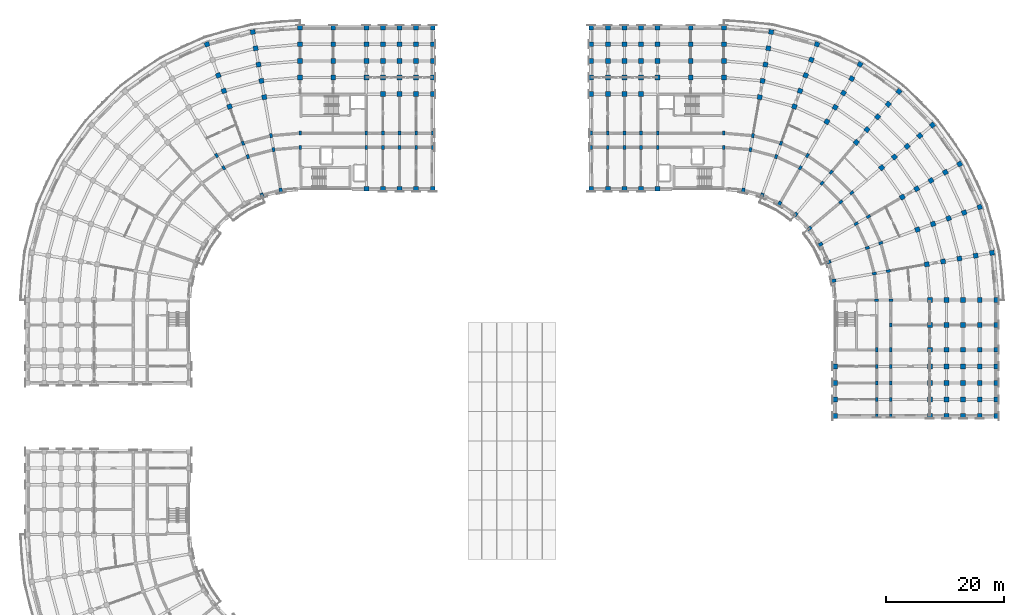
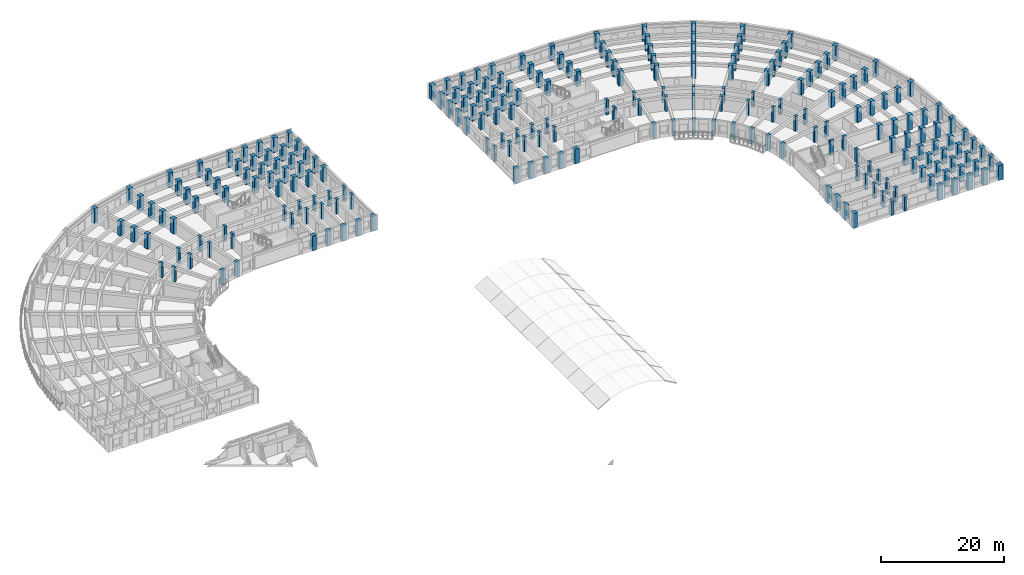
# One storey, part 2 of 54: 231 columns.
"""IFC4 building model written with IfcOpenShell, lengths in metres."""

from ifc_helpers import new_model, si_unit, direction, frame, origin, origin_2d, place, context, subcontext, project, spatial, rectangle, extrude, material, material_profile, profile_set, type_object, element, save


model = new_model("IFC4")

# Units and contexts
model_context = context("Model", 3, precision=1e-05, world=origin(), true_north=direction((0.0, 1.0)))
body_context = subcontext(model_context, "Body", "Model", "MODEL_VIEW")
ifc_project = project(units=[si_unit("LENGTHUNIT", "METRE"), si_unit("AREAUNIT", "SQUARE_METRE"), si_unit("VOLUMEUNIT", "CUBIC_METRE"), si_unit("PLANEANGLEUNIT", "RADIAN"), si_unit("MASSUNIT", "GRAM", prefix="KILO")], contexts=[model_context])

# Site, building, storey
site_placement = place(None, origin())
site = spatial("IfcSite", under=ifc_project, at=site_placement, CompositionType="ELEMENT")
building_placement = place(site_placement, origin())
building = spatial("IfcBuilding", under=site, at=building_placement, Name="Kiranvali Square Residences", CompositionType="ELEMENT")
storey_placement = place(building_placement, frame((0.0, 0.0, 15.0)))
storey = spatial("IfcBuildingStorey", under=building, at=storey_placement, Name="L04", CompositionType="ELEMENT", Elevation=15.0)

# Columns
ifc_material_1 = material(Name="Concrete M45 (45 MPa)", Category="concrete")
ifc_material_profile_1 = material_profile(ifc_material_1, rectangle(XDim=0.449951171875, YDim=0.699951171875, at=origin_2d()), Name="RC 700x450")
ifc_profile_set_1 = profile_set([ifc_material_profile_1], Name="Concrete M45 (45 MPa)")
column_type_1 = type_object("IfcColumnType", Name="COL-M45-700x450", PredefinedType="COLUMN", material=ifc_profile_set_1)
for number, where, z_axis, x_axis, name in (
    (1, (48.199951171875, 113.60009765625, 0.0), (0.0, 0.0, 1.0), (1.0, 0.0, 0.0), "Block A L04 radial column A00-R1"),
    (2, (48.199951171875, 116.0, 0.0), (0.0, 0.0, 1.0), (1.0, 0.0, 0.0), "Block A L04 radial column A00-R2"),
    (3, (43.719970703125, 113.2080078125, 0.0), (0.0, 0.0, 1.0), (0.984807753012, 0.173648177667, 0.0), "Block A L04 radial column A01-R1"),
    (4, (43.30322265625, 115.571533203125, 0.0), (0.0, 0.0, 1.0), (0.984807753012, 0.173648177667, 0.0), "Block A L04 radial column A01-R2"),
    (5, (39.3759765625, 112.044189453125, 0.0), (0.0, 0.0, 1.0), (0.939692620786, 0.342020143326, 0.0), "Block A L04 radial column A02-R1"),
    (6, (38.554931640625, 114.29931640625, 0.0), (0.0, 0.0, 1.0), (0.939692620786, 0.342020143326, 0.0), "Block A L04 radial column A02-R2"),
    (7, (35.300048828125, 110.1435546875, 0.0), (0.0, 0.0, 1.0), (0.866025403784, 0.5, 0.0), "Block A L04 radial column A03-R1"),
    (8, (34.10009765625, 112.221923828125, 0.0), (0.0, 0.0, 1.0), (0.866025403784, 0.5, 0.0), "Block A L04 radial column A03-R2"),
    (9, (59.39990234375, 113.60009765625, 0.0), (0.0, 0.0, 1.0), (1.0, 0.0, 0.0), "Block A L04 Arm 1 column U1-R1"),
    (10, (59.39990234375, 116.0, 0.0), (0.0, 0.0, 1.0), (1.0, 0.0, 0.0), "Block A L04 Arm 1 column U1-R2"),
    (11, (62.199951171875, 113.60009765625, 0.0), (0.0, 0.0, 1.0), (1.0, 0.0, 0.0), "Block A L04 Arm 1 column U2-R1"),
    (12, (62.199951171875, 116.0, 0.0), (0.0, 0.0, 1.0), (1.0, 0.0, 0.0), "Block A L04 Arm 1 column U2-R2"),
    (13, (65.0, 113.60009765625, 0.0), (0.0, 0.0, 1.0), (1.0, 0.0, 0.0), "Block A L04 Arm 1 column U3-R1"),
    (14, (65.0, 116.0, 0.0), (0.0, 0.0, 1.0), (1.0, 0.0, 0.0), "Block A L04 Arm 1 column U3-R2"),
    (15, (67.800048828125, 113.60009765625, 0.0), (0.0, 0.0, 1.0), (1.0, 0.0, 0.0), "Block A L04 Arm 1 column U4-R1"),
    (16, (67.800048828125, 116.0, 0.0), (0.0, 0.0, 1.0), (1.0, 0.0, 0.0), "Block A L04 Arm 1 column U4-R2"),
    (17, (70.60009765625, 113.60009765625, 0.0), (0.0, 0.0, 1.0), (1.0, 0.0, 0.0), "Block A L04 Arm 1 column U5-R1"),
    (18, (70.60009765625, 116.0, 0.0), (0.0, 0.0, 1.0), (1.0, 0.0, 0.0), "Block A L04 Arm 1 column U5-R2"),
    (19, (119.800048828125, 113.60009765625, 0.0), (0.0, 0.0, 1.0), (1.0, 0.0, 0.0), "Block B L04 radial column A00-R1"),
    (20, (119.800048828125, 116.0, 0.0), (0.0, 0.0, 1.0), (1.0, 0.0, 0.0), "Block B L04 radial column A00-R2"),
    (21, (124.280029296875, 113.2080078125, 0.0), (0.0, 0.0, 1.0), (-0.984807753012, 0.173648177667, 0.0), "Block B L04 radial column A01-R1"),
    (22, (124.69677734375, 115.571533203125, 0.0), (0.0, 0.0, 1.0), (-0.984807753012, 0.173648177667, 0.0), "Block B L04 radial column A01-R2"),
    (23, (128.6240234375, 112.044189453125, 0.0), (0.0, 0.0, 1.0), (-0.939692620786, 0.342020143326, 0.0), "Block B L04 radial column A02-R1"),
    (24, (129.445068359375, 114.29931640625, 0.0), (0.0, 0.0, 1.0), (-0.939692620786, 0.342020143326, 0.0), "Block B L04 radial column A02-R2"),
    (25, (132.699951171875, 110.1435546875, 0.0), (0.0, 0.0, 1.0), (-0.866025403784, 0.5, 0.0), "Block B L04 radial column A03-R1"),
    (26, (133.89990234375, 112.221923828125, 0.0), (0.0, 0.0, 1.0), (-0.866025403784, 0.5, 0.0), "Block B L04 radial column A03-R2"),
    (27, (136.384033203125, 107.56396484375, 0.0), (0.0, 0.0, 1.0), (-0.766044443119, 0.642787609687, 0.0), "Block B L04 radial column A04-R1"),
    (28, (137.926513671875, 109.40234375, 0.0), (0.0, 0.0, 1.0), (-0.766044443119, 0.642787609687, 0.0), "Block B L04 radial column A04-R2"),
    (29, (139.56396484375, 104.384033203125, 0.0), (0.0, 0.0, 1.0), (-0.642787609687, 0.766044443119, 0.0), "Block B L04 radial column A05-R1"),
    (30, (141.40234375, 105.926513671875, 0.0), (0.0, 0.0, 1.0), (-0.642787609687, 0.766044443119, 0.0), "Block B L04 radial column A05-R2"),
    (31, (142.1435546875, 100.699951171875, 0.0), (0.0, 0.0, 1.0), (-0.5, 0.866025403784, 0.0), "Block B L04 radial column A06-R1"),
    (32, (144.221923828125, 101.89990234375, 0.0), (0.0, 0.0, 1.0), (-0.5, 0.866025403784, 0.0), "Block B L04 radial column A06-R2"),
    (33, (144.044189453125, 96.6240234375, 0.0), (0.0, 0.0, 1.0), (-0.342020143326, 0.939692620786, 0.0), "Block B L04 radial column A07-R1"),
    (34, (146.29931640625, 97.445068359375, 0.0), (0.0, 0.0, 1.0), (-0.342020143326, 0.939692620786, 0.0), "Block B L04 radial column A07-R2"),
    (35, (145.2080078125, 92.280029296875, 0.0), (0.0, 0.0, 1.0), (-0.173648177667, 0.984807753012, 0.0), "Block B L04 radial column A08-R1"),
    (36, (147.571533203125, 92.69677734375, 0.0), (0.0, 0.0, 1.0), (-0.173648177667, 0.984807753012, 0.0), "Block B L04 radial column A08-R2"),
    (37, (145.60009765625, 87.800048828125, 0.0), (0.0, 0.0, 1.0), (0.0, 1.0, 0.0), "Block B L04 radial column A09-R1"),
    (38, (148.0, 87.800048828125, 0.0), (0.0, 0.0, 1.0), (0.0, 1.0, 0.0), "Block B L04 radial column A09-R2"),
    (39, (108.60009765625, 113.60009765625, 0.0), (0.0, 0.0, 1.0), (1.0, 0.0, 0.0), "Block B L04 Arm 1 column U1-R1"),
    (40, (108.60009765625, 116.0, 0.0), (0.0, 0.0, 1.0), (1.0, 0.0, 0.0), "Block B L04 Arm 1 column U1-R2"),
    (41, (105.800048828125, 113.60009765625, 0.0), (0.0, 0.0, 1.0), (1.0, 0.0, 0.0), "Block B L04 Arm 1 column U2-R1"),
    (42, (105.800048828125, 116.0, 0.0), (0.0, 0.0, 1.0), (1.0, 0.0, 0.0), "Block B L04 Arm 1 column U2-R2"),
    (43, (103.0, 113.60009765625, 0.0), (0.0, 0.0, 1.0), (1.0, 0.0, 0.0), "Block B L04 Arm 1 column U3-R1"),
    (44, (103.0, 116.0, 0.0), (0.0, 0.0, 1.0), (1.0, 0.0, 0.0), "Block B L04 Arm 1 column U3-R2"),
    (45, (100.199951171875, 113.60009765625, 0.0), (0.0, 0.0, 1.0), (1.0, 0.0, 0.0), "Block B L04 Arm 1 column U4-R1"),
    (46, (100.199951171875, 116.0, 0.0), (0.0, 0.0, 1.0), (1.0, 0.0, 0.0), "Block B L04 Arm 1 column U4-R2"),
    (47, (97.39990234375, 113.60009765625, 0.0), (0.0, 0.0, 1.0), (1.0, 0.0, 0.0), "Block B L04 Arm 1 column U5-R1"),
    (48, (97.39990234375, 116.0, 0.0), (0.0, 0.0, 1.0), (1.0, 0.0, 0.0), "Block B L04 Arm 1 column U5-R2"),
    (49, (148.0, 83.60009765625, 0.0), (0.0, 0.0, 1.0), (1.0, 0.0, 0.0), "Block B L04 Arm 2 mid-core column V0-R2"),
    (50, (145.60009765625, 79.39990234375, 0.0), (0.0, 0.0, 1.0), (1.0, 0.0, 0.0), "Block B L04 Arm 2 column V1-R1"),
    (51, (148.0, 79.39990234375, 0.0), (0.0, 0.0, 1.0), (1.0, 0.0, 0.0), "Block B L04 Arm 2 column V1-R2"),
    (52, (145.60009765625, 76.60009765625, 0.0), (0.0, 0.0, 1.0), (1.0, 0.0, 0.0), "Block B L04 Arm 2 column V2-R1"),
    (53, (148.0, 76.60009765625, 0.0), (0.0, 0.0, 1.0), (1.0, 0.0, 0.0), "Block B L04 Arm 2 column V2-R2"),
    (54, (145.60009765625, 73.800048828125, 0.0), (0.0, 0.0, 1.0), (1.0, 0.0, 0.0), "Block B L04 Arm 2 column V3-R1"),
    (55, (148.0, 73.800048828125, 0.0), (0.0, 0.0, 1.0), (1.0, 0.0, 0.0), "Block B L04 Arm 2 column V3-R2"),
    (56, (145.60009765625, 71.0, 0.0), (0.0, 0.0, 1.0), (1.0, 0.0, 0.0), "Block B L04 Arm 2 column V4-R1"),
    (57, (148.0, 71.0, 0.0), (0.0, 0.0, 1.0), (1.0, 0.0, 0.0), "Block B L04 Arm 2 column V4-R2"),
    (58, (145.60009765625, 68.199951171875, 0.0), (0.0, 0.0, 1.0), (1.0, 0.0, 0.0), "Block B L04 Arm 2 column V5-R1"),
    (59, (148.0, 68.199951171875, 0.0), (0.0, 0.0, 1.0), (1.0, 0.0, 0.0), "Block B L04 Arm 2 column V5-R2"),
):
    element("IfcColumn", number, at=place(storey_placement, frame(where, z_axis=z_axis, x_axis=x_axis)), inside=storey, type_object=column_type_1, Name=name, PredefinedType="COLUMN", context=body_context, shape_type="SweptSolid", body=[
        extrude(rectangle(XDim=0.449951171875, YDim=0.699951171875, at=origin_2d()), origin(), (0.0, 0.0, 1.0), 2.929931640625),
    ])
ifc_material_2 = material(Name="Concrete M50 (50 MPa)", Category="concrete")
ifc_material_profile_2 = material_profile(ifc_material_2, rectangle(XDim=0.800048828125, YDim=0.800048828125, at=origin_2d()), Name="RC 800x800")
ifc_profile_set_2 = profile_set([ifc_material_profile_2], Name="Concrete M50 (50 MPa)")
column_type_2 = type_object("IfcColumnType", Name="COL-M50-800", PredefinedType="COLUMN", material=ifc_profile_set_2)
for number, where, z_axis, x_axis, name in (
    (60, (48.199951171875, 125.39990234375, 0.0), (0.0, 0.0, 1.0), (1.0, 0.0, 0.0), "Block A L04 radial column A00-R4"),
    (61, (48.199951171875, 128.199951171875, 0.0), (0.0, 0.0, 1.0), (1.0, 0.0, 0.0), "Block A L04 radial column A00-R5"),
    (62, (48.199951171875, 131.0, 0.0), (0.0, 0.0, 1.0), (1.0, 0.0, 0.0), "Block A L04 radial column A00-R6"),
    (63, (48.199951171875, 133.800048828125, 0.0), (0.0, 0.0, 1.0), (1.0, 0.0, 0.0), "Block A L04 radial column A00-R7"),
    (64, (42.156982421875, 122.0712890625, 0.0), (0.0, 0.0, 1.0), (0.984807753012, 0.173648177667, 0.0), "Block A L04 radial column A01-R3"),
    (65, (41.6708984375, 124.828857421875, 0.0), (0.0, 0.0, 1.0), (0.984807753012, 0.173648177667, 0.0), "Block A L04 radial column A01-R4"),
    (66, (41.1845703125, 127.586181640625, 0.0), (0.0, 0.0, 1.0), (0.984807753012, 0.173648177667, 0.0), "Block A L04 radial column A01-R5"),
    (67, (40.698486328125, 130.34375, 0.0), (0.0, 0.0, 1.0), (0.984807753012, 0.173648177667, 0.0), "Block A L04 radial column A01-R6"),
    (68, (40.212158203125, 133.10107421875, 0.0), (0.0, 0.0, 1.0), (0.984807753012, 0.173648177667, 0.0), "Block A L04 radial column A01-R7"),
    (69, (36.297607421875, 120.501220703125, 0.0), (0.0, 0.0, 1.0), (0.939692620786, 0.342020143326, 0.0), "Block A L04 radial column A02-R3"),
    (70, (35.340087890625, 123.13232421875, 0.0), (0.0, 0.0, 1.0), (0.939692620786, 0.342020143326, 0.0), "Block A L04 radial column A02-R4"),
    (71, (34.38232421875, 125.763671875, 0.0), (0.0, 0.0, 1.0), (0.939692620786, 0.342020143326, 0.0), "Block A L04 radial column A02-R5"),
    (72, (32.467041015625, 131.02587890625, 0.0), (0.0, 0.0, 1.0), (0.939692620786, 0.342020143326, 0.0), "Block A L04 radial column A02-R7"),
    (73, (53.800048828125, 125.39990234375, 0.0), (0.0, 0.0, 1.0), (1.0, 0.0, 0.0), "Block A L04 core-front column U0-R4"),
    (74, (53.800048828125, 128.199951171875, 0.0), (0.0, 0.0, 1.0), (1.0, 0.0, 0.0), "Block A L04 core-front column U0-R5"),
    (75, (53.800048828125, 131.0, 0.0), (0.0, 0.0, 1.0), (1.0, 0.0, 0.0), "Block A L04 core-front column U0-R6"),
    (76, (53.800048828125, 133.800048828125, 0.0), (0.0, 0.0, 1.0), (1.0, 0.0, 0.0), "Block A L04 core-front column U0-R7"),
    (77, (59.39990234375, 106.60009765625, 0.0), (0.0, 0.0, 1.0), (1.0, 0.0, 0.0), "Block A L04 Arm 1 column U1-R0"),
    (78, (59.39990234375, 125.39990234375, 0.0), (0.0, 0.0, 1.0), (1.0, 0.0, 0.0), "Block A L04 Arm 1 column U1-R4"),
    (79, (59.39990234375, 128.199951171875, 0.0), (0.0, 0.0, 1.0), (1.0, 0.0, 0.0), "Block A L04 Arm 1 column U1-R5"),
    (80, (59.39990234375, 131.0, 0.0), (0.0, 0.0, 1.0), (1.0, 0.0, 0.0), "Block A L04 Arm 1 column U1-R6"),
    (81, (59.39990234375, 133.800048828125, 0.0), (0.0, 0.0, 1.0), (1.0, 0.0, 0.0), "Block A L04 Arm 1 column U1-R7"),
    (82, (62.199951171875, 106.60009765625, 0.0), (0.0, 0.0, 1.0), (1.0, 0.0, 0.0), "Block A L04 Arm 1 column U2-R0"),
    (83, (62.199951171875, 122.60009765625, 0.0), (0.0, 0.0, 1.0), (1.0, 0.0, 0.0), "Block A L04 Arm 1 column U2-R3"),
    (84, (62.199951171875, 125.39990234375, 0.0), (0.0, 0.0, 1.0), (1.0, 0.0, 0.0), "Block A L04 Arm 1 column U2-R4"),
    (85, (62.199951171875, 128.199951171875, 0.0), (0.0, 0.0, 1.0), (1.0, 0.0, 0.0), "Block A L04 Arm 1 column U2-R5"),
    (86, (62.199951171875, 131.0, 0.0), (0.0, 0.0, 1.0), (1.0, 0.0, 0.0), "Block A L04 Arm 1 column U2-R6"),
    (87, (62.199951171875, 133.800048828125, 0.0), (0.0, 0.0, 1.0), (1.0, 0.0, 0.0), "Block A L04 Arm 1 column U2-R7"),
    (88, (65.0, 106.60009765625, 0.0), (0.0, 0.0, 1.0), (1.0, 0.0, 0.0), "Block A L04 Arm 1 column U3-R0"),
    (89, (65.0, 122.60009765625, 0.0), (0.0, 0.0, 1.0), (1.0, 0.0, 0.0), "Block A L04 Arm 1 column U3-R3"),
    (90, (65.0, 125.39990234375, 0.0), (0.0, 0.0, 1.0), (1.0, 0.0, 0.0), "Block A L04 Arm 1 column U3-R4"),
    (91, (65.0, 128.199951171875, 0.0), (0.0, 0.0, 1.0), (1.0, 0.0, 0.0), "Block A L04 Arm 1 column U3-R5"),
    (92, (65.0, 131.0, 0.0), (0.0, 0.0, 1.0), (1.0, 0.0, 0.0), "Block A L04 Arm 1 column U3-R6"),
    (93, (65.0, 133.800048828125, 0.0), (0.0, 0.0, 1.0), (1.0, 0.0, 0.0), "Block A L04 Arm 1 column U3-R7"),
    (94, (67.800048828125, 106.60009765625, 0.0), (0.0, 0.0, 1.0), (1.0, 0.0, 0.0), "Block A L04 Arm 1 column U4-R0"),
    (95, (67.800048828125, 122.60009765625, 0.0), (0.0, 0.0, 1.0), (1.0, 0.0, 0.0), "Block A L04 Arm 1 column U4-R3"),
    (96, (67.800048828125, 125.39990234375, 0.0), (0.0, 0.0, 1.0), (1.0, 0.0, 0.0), "Block A L04 Arm 1 column U4-R4"),
    (97, (67.800048828125, 128.199951171875, 0.0), (0.0, 0.0, 1.0), (1.0, 0.0, 0.0), "Block A L04 Arm 1 column U4-R5"),
    (98, (67.800048828125, 131.0, 0.0), (0.0, 0.0, 1.0), (1.0, 0.0, 0.0), "Block A L04 Arm 1 column U4-R6"),
    (99, (67.800048828125, 133.800048828125, 0.0), (0.0, 0.0, 1.0), (1.0, 0.0, 0.0), "Block A L04 Arm 1 column U4-R7"),
    (100, (70.60009765625, 106.60009765625, 0.0), (0.0, 0.0, 1.0), (1.0, 0.0, 0.0), "Block A L04 Arm 1 column U5-R0"),
    (101, (70.60009765625, 122.60009765625, 0.0), (0.0, 0.0, 1.0), (1.0, 0.0, 0.0), "Block A L04 Arm 1 column U5-R3"),
    (102, (70.60009765625, 125.39990234375, 0.0), (0.0, 0.0, 1.0), (1.0, 0.0, 0.0), "Block A L04 Arm 1 column U5-R4"),
    (103, (70.60009765625, 128.199951171875, 0.0), (0.0, 0.0, 1.0), (1.0, 0.0, 0.0), "Block A L04 Arm 1 column U5-R5"),
    (104, (70.60009765625, 131.0, 0.0), (0.0, 0.0, 1.0), (1.0, 0.0, 0.0), "Block A L04 Arm 1 column U5-R6"),
    (105, (70.60009765625, 133.800048828125, 0.0), (0.0, 0.0, 1.0), (1.0, 0.0, 0.0), "Block A L04 Arm 1 column U5-R7"),
    (106, (119.800048828125, 125.39990234375, 0.0), (0.0, 0.0, 1.0), (1.0, 0.0, 0.0), "Block B L04 radial column A00-R4"),
    (107, (119.800048828125, 128.199951171875, 0.0), (0.0, 0.0, 1.0), (1.0, 0.0, 0.0), "Block B L04 radial column A00-R5"),
    (108, (119.800048828125, 131.0, 0.0), (0.0, 0.0, 1.0), (1.0, 0.0, 0.0), "Block B L04 radial column A00-R6"),
    (109, (119.800048828125, 133.800048828125, 0.0), (0.0, 0.0, 1.0), (1.0, 0.0, 0.0), "Block B L04 radial column A00-R7"),
    (110, (125.843017578125, 122.0712890625, 0.0), (0.0, 0.0, 1.0), (-0.984807753012, 0.173648177667, 0.0), "Block B L04 radial column A01-R3"),
    (111, (126.3291015625, 124.828857421875, 0.0), (0.0, 0.0, 1.0), (-0.984807753012, 0.173648177667, 0.0), "Block B L04 radial column A01-R4"),
    (112, (126.8154296875, 127.586181640625, 0.0), (0.0, 0.0, 1.0), (-0.984807753012, 0.173648177667, 0.0), "Block B L04 radial column A01-R5"),
    (113, (127.301513671875, 130.34375, 0.0), (0.0, 0.0, 1.0), (-0.984807753012, 0.173648177667, 0.0), "Block B L04 radial column A01-R6"),
    (114, (127.787841796875, 133.10107421875, 0.0), (0.0, 0.0, 1.0), (-0.984807753012, 0.173648177667, 0.0), "Block B L04 radial column A01-R7"),
    (115, (131.702392578125, 120.501220703125, 0.0), (0.0, 0.0, 1.0), (-0.939692620786, 0.342020143326, 0.0), "Block B L04 radial column A02-R3"),
    (116, (132.659912109375, 123.13232421875, 0.0), (0.0, 0.0, 1.0), (-0.939692620786, 0.342020143326, 0.0), "Block B L04 radial column A02-R4"),
    (117, (133.61767578125, 125.763671875, 0.0), (0.0, 0.0, 1.0), (-0.939692620786, 0.342020143326, 0.0), "Block B L04 radial column A02-R5"),
    (118, (134.5751953125, 128.394775390625, 0.0), (0.0, 0.0, 1.0), (-0.939692620786, 0.342020143326, 0.0), "Block B L04 radial column A02-R6"),
    (119, (135.532958984375, 131.02587890625, 0.0), (0.0, 0.0, 1.0), (-0.939692620786, 0.342020143326, 0.0), "Block B L04 radial column A02-R7"),
    (120, (137.199951171875, 117.937744140625, 0.0), (0.0, 0.0, 1.0), (-0.866025403784, 0.5, 0.0), "Block B L04 radial column A03-R3"),
    (121, (138.60009765625, 120.362548828125, 0.0), (0.0, 0.0, 1.0), (-0.866025403784, 0.5, 0.0), "Block B L04 radial column A03-R4"),
    (122, (140.0, 122.787353515625, 0.0), (0.0, 0.0, 1.0), (-0.866025403784, 0.5, 0.0), "Block B L04 radial column A03-R5"),
    (123, (141.39990234375, 125.21240234375, 0.0), (0.0, 0.0, 1.0), (-0.866025403784, 0.5, 0.0), "Block B L04 radial column A03-R6"),
    (124, (142.800048828125, 127.63720703125, 0.0), (0.0, 0.0, 1.0), (-0.866025403784, 0.5, 0.0), "Block B L04 radial column A03-R7"),
    (125, (142.1689453125, 114.458251953125, 0.0), (0.0, 0.0, 1.0), (-0.766044443119, 0.642787609687, 0.0), "Block B L04 radial column A04-R3"),
    (126, (143.96875, 116.603271484375, 0.0), (0.0, 0.0, 1.0), (-0.766044443119, 0.642787609687, 0.0), "Block B L04 radial column A04-R4"),
    (127, (145.7685546875, 118.748291015625, 0.0), (0.0, 0.0, 1.0), (-0.766044443119, 0.642787609687, 0.0), "Block B L04 radial column A04-R5"),
    (128, (147.568359375, 120.89306640625, 0.0), (0.0, 0.0, 1.0), (-0.766044443119, 0.642787609687, 0.0), "Block B L04 radial column A04-R6"),
    (129, (149.3681640625, 123.0380859375, 0.0), (0.0, 0.0, 1.0), (-0.766044443119, 0.642787609687, 0.0), "Block B L04 radial column A04-R7"),
    (130, (146.458251953125, 110.1689453125, 0.0), (0.0, 0.0, 1.0), (-0.642787609687, 0.766044443119, 0.0), "Block B L04 radial column A05-R3"),
    (131, (148.603271484375, 111.96875, 0.0), (0.0, 0.0, 1.0), (-0.642787609687, 0.766044443119, 0.0), "Block B L04 radial column A05-R4"),
    (132, (150.748291015625, 113.7685546875, 0.0), (0.0, 0.0, 1.0), (-0.642787609687, 0.766044443119, 0.0), "Block B L04 radial column A05-R5"),
    (133, (152.89306640625, 115.568359375, 0.0), (0.0, 0.0, 1.0), (-0.642787609687, 0.766044443119, 0.0), "Block B L04 radial column A05-R6"),
    (134, (155.0380859375, 117.3681640625, 0.0), (0.0, 0.0, 1.0), (-0.642787609687, 0.766044443119, 0.0), "Block B L04 radial column A05-R7"),
    (135, (149.937744140625, 105.199951171875, 0.0), (0.0, 0.0, 1.0), (-0.5, 0.866025403784, 0.0), "Block B L04 radial column A06-R3"),
    (136, (152.362548828125, 106.60009765625, 0.0), (0.0, 0.0, 1.0), (-0.5, 0.866025403784, 0.0), "Block B L04 radial column A06-R4"),
    (137, (154.787353515625, 108.0, 0.0), (0.0, 0.0, 1.0), (-0.5, 0.866025403784, 0.0), "Block B L04 radial column A06-R5"),
    (138, (157.21240234375, 109.39990234375, 0.0), (0.0, 0.0, 1.0), (-0.5, 0.866025403784, 0.0), "Block B L04 radial column A06-R6"),
    (139, (159.63720703125, 110.800048828125, 0.0), (0.0, 0.0, 1.0), (-0.5, 0.866025403784, 0.0), "Block B L04 radial column A06-R7"),
    (140, (152.501220703125, 99.702392578125, 0.0), (0.0, 0.0, 1.0), (-0.342020143326, 0.939692620786, 0.0), "Block B L04 radial column A07-R3"),
    (141, (155.13232421875, 100.659912109375, 0.0), (0.0, 0.0, 1.0), (-0.342020143326, 0.939692620786, 0.0), "Block B L04 radial column A07-R4"),
    (142, (157.763671875, 101.61767578125, 0.0), (0.0, 0.0, 1.0), (-0.342020143326, 0.939692620786, 0.0), "Block B L04 radial column A07-R5"),
    (143, (160.394775390625, 102.5751953125, 0.0), (0.0, 0.0, 1.0), (-0.342020143326, 0.939692620786, 0.0), "Block B L04 radial column A07-R6"),
    (144, (163.02587890625, 103.532958984375, 0.0), (0.0, 0.0, 1.0), (-0.342020143326, 0.939692620786, 0.0), "Block B L04 radial column A07-R7"),
    (145, (154.0712890625, 93.843017578125, 0.0), (0.0, 0.0, 1.0), (-0.173648177667, 0.984807753012, 0.0), "Block B L04 radial column A08-R3"),
    (146, (156.828857421875, 94.3291015625, 0.0), (0.0, 0.0, 1.0), (-0.173648177667, 0.984807753012, 0.0), "Block B L04 radial column A08-R4"),
    (147, (159.586181640625, 94.8154296875, 0.0), (0.0, 0.0, 1.0), (-0.173648177667, 0.984807753012, 0.0), "Block B L04 radial column A08-R5"),
    (148, (162.34375, 95.301513671875, 0.0), (0.0, 0.0, 1.0), (-0.173648177667, 0.984807753012, 0.0), "Block B L04 radial column A08-R6"),
    (149, (165.10107421875, 95.787841796875, 0.0), (0.0, 0.0, 1.0), (-0.173648177667, 0.984807753012, 0.0), "Block B L04 radial column A08-R7"),
    (150, (154.60009765625, 87.800048828125, 0.0), (0.0, 0.0, 1.0), (0.0, 1.0, 0.0), "Block B L04 radial column A09-R3"),
    (151, (157.39990234375, 87.800048828125, 0.0), (0.0, 0.0, 1.0), (0.0, 1.0, 0.0), "Block B L04 radial column A09-R4"),
    (152, (160.199951171875, 87.800048828125, 0.0), (0.0, 0.0, 1.0), (0.0, 1.0, 0.0), "Block B L04 radial column A09-R5"),
    (153, (163.0, 87.800048828125, 0.0), (0.0, 0.0, 1.0), (0.0, 1.0, 0.0), "Block B L04 radial column A09-R6"),
    (154, (165.800048828125, 87.800048828125, 0.0), (0.0, 0.0, 1.0), (0.0, 1.0, 0.0), "Block B L04 radial column A09-R7"),
    (155, (114.199951171875, 125.39990234375, 0.0), (0.0, 0.0, 1.0), (1.0, 0.0, 0.0), "Block B L04 core-front column U0-R4"),
    (156, (114.199951171875, 128.199951171875, 0.0), (0.0, 0.0, 1.0), (1.0, 0.0, 0.0), "Block B L04 core-front column U0-R5"),
    (157, (114.199951171875, 131.0, 0.0), (0.0, 0.0, 1.0), (1.0, 0.0, 0.0), "Block B L04 core-front column U0-R6"),
    (158, (114.199951171875, 133.800048828125, 0.0), (0.0, 0.0, 1.0), (1.0, 0.0, 0.0), "Block B L04 core-front column U0-R7"),
    (159, (108.60009765625, 106.60009765625, 0.0), (0.0, 0.0, 1.0), (1.0, 0.0, 0.0), "Block B L04 Arm 1 column U1-R0"),
    (160, (108.60009765625, 125.39990234375, 0.0), (0.0, 0.0, 1.0), (1.0, 0.0, 0.0), "Block B L04 Arm 1 column U1-R4"),
    (161, (108.60009765625, 128.199951171875, 0.0), (0.0, 0.0, 1.0), (1.0, 0.0, 0.0), "Block B L04 Arm 1 column U1-R5"),
    (162, (108.60009765625, 131.0, 0.0), (0.0, 0.0, 1.0), (1.0, 0.0, 0.0), "Block B L04 Arm 1 column U1-R6"),
    (163, (108.60009765625, 133.800048828125, 0.0), (0.0, 0.0, 1.0), (1.0, 0.0, 0.0), "Block B L04 Arm 1 column U1-R7"),
    (164, (105.800048828125, 106.60009765625, 0.0), (0.0, 0.0, 1.0), (1.0, 0.0, 0.0), "Block B L04 Arm 1 column U2-R0"),
    (165, (105.800048828125, 122.60009765625, 0.0), (0.0, 0.0, 1.0), (1.0, 0.0, 0.0), "Block B L04 Arm 1 column U2-R3"),
    (166, (105.800048828125, 125.39990234375, 0.0), (0.0, 0.0, 1.0), (1.0, 0.0, 0.0), "Block B L04 Arm 1 column U2-R4"),
    (167, (105.800048828125, 128.199951171875, 0.0), (0.0, 0.0, 1.0), (1.0, 0.0, 0.0), "Block B L04 Arm 1 column U2-R5"),
    (168, (105.800048828125, 131.0, 0.0), (0.0, 0.0, 1.0), (1.0, 0.0, 0.0), "Block B L04 Arm 1 column U2-R6"),
    (169, (105.800048828125, 133.800048828125, 0.0), (0.0, 0.0, 1.0), (1.0, 0.0, 0.0), "Block B L04 Arm 1 column U2-R7"),
    (170, (103.0, 106.60009765625, 0.0), (0.0, 0.0, 1.0), (1.0, 0.0, 0.0), "Block B L04 Arm 1 column U3-R0"),
    (171, (103.0, 122.60009765625, 0.0), (0.0, 0.0, 1.0), (1.0, 0.0, 0.0), "Block B L04 Arm 1 column U3-R3"),
    (172, (103.0, 125.39990234375, 0.0), (0.0, 0.0, 1.0), (1.0, 0.0, 0.0), "Block B L04 Arm 1 column U3-R4"),
    (173, (103.0, 128.199951171875, 0.0), (0.0, 0.0, 1.0), (1.0, 0.0, 0.0), "Block B L04 Arm 1 column U3-R5"),
    (174, (103.0, 131.0, 0.0), (0.0, 0.0, 1.0), (1.0, 0.0, 0.0), "Block B L04 Arm 1 column U3-R6"),
    (175, (103.0, 133.800048828125, 0.0), (0.0, 0.0, 1.0), (1.0, 0.0, 0.0), "Block B L04 Arm 1 column U3-R7"),
    (176, (100.199951171875, 106.60009765625, 0.0), (0.0, 0.0, 1.0), (1.0, 0.0, 0.0), "Block B L04 Arm 1 column U4-R0"),
    (177, (100.199951171875, 122.60009765625, 0.0), (0.0, 0.0, 1.0), (1.0, 0.0, 0.0), "Block B L04 Arm 1 column U4-R3"),
    (178, (100.199951171875, 125.39990234375, 0.0), (0.0, 0.0, 1.0), (1.0, 0.0, 0.0), "Block B L04 Arm 1 column U4-R4"),
    (179, (100.199951171875, 128.199951171875, 0.0), (0.0, 0.0, 1.0), (1.0, 0.0, 0.0), "Block B L04 Arm 1 column U4-R5"),
    (180, (100.199951171875, 131.0, 0.0), (0.0, 0.0, 1.0), (1.0, 0.0, 0.0), "Block B L04 Arm 1 column U4-R6"),
    (181, (100.199951171875, 133.800048828125, 0.0), (0.0, 0.0, 1.0), (1.0, 0.0, 0.0), "Block B L04 Arm 1 column U4-R7"),
    (182, (97.39990234375, 106.60009765625, 0.0), (0.0, 0.0, 1.0), (1.0, 0.0, 0.0), "Block B L04 Arm 1 column U5-R0"),
    (183, (97.39990234375, 122.60009765625, 0.0), (0.0, 0.0, 1.0), (1.0, 0.0, 0.0), "Block B L04 Arm 1 column U5-R3"),
    (184, (97.39990234375, 125.39990234375, 0.0), (0.0, 0.0, 1.0), (1.0, 0.0, 0.0), "Block B L04 Arm 1 column U5-R4"),
    (185, (97.39990234375, 128.199951171875, 0.0), (0.0, 0.0, 1.0), (1.0, 0.0, 0.0), "Block B L04 Arm 1 column U5-R5"),
    (186, (97.39990234375, 131.0, 0.0), (0.0, 0.0, 1.0), (1.0, 0.0, 0.0), "Block B L04 Arm 1 column U5-R6"),
    (187, (97.39990234375, 133.800048828125, 0.0), (0.0, 0.0, 1.0), (1.0, 0.0, 0.0), "Block B L04 Arm 1 column U5-R7"),
    (188, (154.60009765625, 83.60009765625, 0.0), (0.0, 0.0, 1.0), (1.0, 0.0, 0.0), "Block B L04 Arm 2 mid-core column V0-R3"),
    (189, (157.39990234375, 83.60009765625, 0.0), (0.0, 0.0, 1.0), (1.0, 0.0, 0.0), "Block B L04 Arm 2 mid-core column V0-R4"),
    (190, (160.199951171875, 83.60009765625, 0.0), (0.0, 0.0, 1.0), (1.0, 0.0, 0.0), "Block B L04 Arm 2 mid-core column V0-R5"),
    (191, (163.0, 83.60009765625, 0.0), (0.0, 0.0, 1.0), (1.0, 0.0, 0.0), "Block B L04 Arm 2 mid-core column V0-R6"),
    (192, (165.800048828125, 83.60009765625, 0.0), (0.0, 0.0, 1.0), (1.0, 0.0, 0.0), "Block B L04 Arm 2 mid-core column V0-R7"),
    (193, (154.60009765625, 79.39990234375, 0.0), (0.0, 0.0, 1.0), (1.0, 0.0, 0.0), "Block B L04 Arm 2 column V1-R3"),
    (194, (157.39990234375, 79.39990234375, 0.0), (0.0, 0.0, 1.0), (1.0, 0.0, 0.0), "Block B L04 Arm 2 column V1-R4"),
    (195, (160.199951171875, 79.39990234375, 0.0), (0.0, 0.0, 1.0), (1.0, 0.0, 0.0), "Block B L04 Arm 2 column V1-R5"),
    (196, (163.0, 79.39990234375, 0.0), (0.0, 0.0, 1.0), (1.0, 0.0, 0.0), "Block B L04 Arm 2 column V1-R6"),
    (197, (165.800048828125, 79.39990234375, 0.0), (0.0, 0.0, 1.0), (1.0, 0.0, 0.0), "Block B L04 Arm 2 column V1-R7"),
    (198, (138.60009765625, 76.60009765625, 0.0), (0.0, 0.0, 1.0), (1.0, 0.0, 0.0), "Block B L04 Arm 2 column V2-R0"),
    (199, (154.60009765625, 76.60009765625, 0.0), (0.0, 0.0, 1.0), (1.0, 0.0, 0.0), "Block B L04 Arm 2 column V2-R3"),
    (200, (157.39990234375, 76.60009765625, 0.0), (0.0, 0.0, 1.0), (1.0, 0.0, 0.0), "Block B L04 Arm 2 column V2-R4"),
    (201, (160.199951171875, 76.60009765625, 0.0), (0.0, 0.0, 1.0), (1.0, 0.0, 0.0), "Block B L04 Arm 2 column V2-R5"),
    (202, (163.0, 76.60009765625, 0.0), (0.0, 0.0, 1.0), (1.0, 0.0, 0.0), "Block B L04 Arm 2 column V2-R6"),
    (203, (165.800048828125, 76.60009765625, 0.0), (0.0, 0.0, 1.0), (1.0, 0.0, 0.0), "Block B L04 Arm 2 column V2-R7"),
    (204, (138.60009765625, 73.800048828125, 0.0), (0.0, 0.0, 1.0), (1.0, 0.0, 0.0), "Block B L04 Arm 2 column V3-R0"),
    (205, (154.60009765625, 73.800048828125, 0.0), (0.0, 0.0, 1.0), (1.0, 0.0, 0.0), "Block B L04 Arm 2 column V3-R3"),
    (206, (157.39990234375, 73.800048828125, 0.0), (0.0, 0.0, 1.0), (1.0, 0.0, 0.0), "Block B L04 Arm 2 column V3-R4"),
    (207, (160.199951171875, 73.800048828125, 0.0), (0.0, 0.0, 1.0), (1.0, 0.0, 0.0), "Block B L04 Arm 2 column V3-R5"),
    (208, (163.0, 73.800048828125, 0.0), (0.0, 0.0, 1.0), (1.0, 0.0, 0.0), "Block B L04 Arm 2 column V3-R6"),
    (209, (165.800048828125, 73.800048828125, 0.0), (0.0, 0.0, 1.0), (1.0, 0.0, 0.0), "Block B L04 Arm 2 column V3-R7"),
    (210, (138.60009765625, 71.0, 0.0), (0.0, 0.0, 1.0), (1.0, 0.0, 0.0), "Block B L04 Arm 2 column V4-R0"),
    (211, (154.60009765625, 71.0, 0.0), (0.0, 0.0, 1.0), (1.0, 0.0, 0.0), "Block B L04 Arm 2 column V4-R3"),
    (212, (157.39990234375, 71.0, 0.0), (0.0, 0.0, 1.0), (1.0, 0.0, 0.0), "Block B L04 Arm 2 column V4-R4"),
    (213, (160.199951171875, 71.0, 0.0), (0.0, 0.0, 1.0), (1.0, 0.0, 0.0), "Block B L04 Arm 2 column V4-R5"),
    (214, (163.0, 71.0, 0.0), (0.0, 0.0, 1.0), (1.0, 0.0, 0.0), "Block B L04 Arm 2 column V4-R6"),
    (215, (165.800048828125, 71.0, 0.0), (0.0, 0.0, 1.0), (1.0, 0.0, 0.0), "Block B L04 Arm 2 column V4-R7"),
    (216, (138.60009765625, 68.199951171875, 0.0), (0.0, 0.0, 1.0), (1.0, 0.0, 0.0), "Block B L04 Arm 2 column V5-R0"),
    (217, (154.60009765625, 68.199951171875, 0.0), (0.0, 0.0, 1.0), (1.0, 0.0, 0.0), "Block B L04 Arm 2 column V5-R3"),
    (218, (157.39990234375, 68.199951171875, 0.0), (0.0, 0.0, 1.0), (1.0, 0.0, 0.0), "Block B L04 Arm 2 column V5-R4"),
    (219, (160.199951171875, 68.199951171875, 0.0), (0.0, 0.0, 1.0), (1.0, 0.0, 0.0), "Block B L04 Arm 2 column V5-R5"),
    (220, (163.0, 68.199951171875, 0.0), (0.0, 0.0, 1.0), (1.0, 0.0, 0.0), "Block B L04 Arm 2 column V5-R6"),
    (221, (165.800048828125, 68.199951171875, 0.0), (0.0, 0.0, 1.0), (1.0, 0.0, 0.0), "Block B L04 Arm 2 column V5-R7"),
):
    element("IfcColumn", number, at=place(storey_placement, frame(where, z_axis=z_axis, x_axis=x_axis)), inside=storey, type_object=column_type_2, Name=name, PredefinedType="COLUMN", context=body_context, shape_type="SweptSolid", body=[
        extrude(rectangle(XDim=0.800048828125, YDim=0.800048828125, at=origin_2d()), origin(), (0.0, 0.0, 1.0), 2.929931640625),
    ])
ifc_material_profile_3 = material_profile(ifc_material_2, rectangle(XDim=0.550048828125, YDim=0.85009765625, at=origin_2d()), Name="RC 850x550")
ifc_profile_set_3 = profile_set([ifc_material_profile_3], Name="Concrete M50 (50 MPa)")
column_type_3 = type_object("IfcColumnType", Name="COL-M50-850x550", PredefinedType="COLUMN", material=ifc_profile_set_3)
for number, where, z_axis, x_axis, name in (
    (222, (44.935302734375, 106.314453125, 0.0), (0.0, 0.0, 1.0), (0.984807753012, 0.173648177667, 0.0), "Block A L04 radial column A01-R0"),
    (223, (41.77001953125, 105.46630859375, 0.0), (0.0, 0.0, 1.0), (0.939692620786, 0.342020143326, 0.0), "Block A L04 radial column A02-R0"),
    (224, (123.064697265625, 106.314453125, 0.0), (0.0, 0.0, 1.0), (-0.984807753012, 0.173648177667, 0.0), "Block B L04 radial column A01-R0"),
    (225, (126.22998046875, 105.46630859375, 0.0), (0.0, 0.0, 1.0), (-0.939692620786, 0.342020143326, 0.0), "Block B L04 radial column A02-R0"),
    (226, (129.199951171875, 104.081298828125, 0.0), (0.0, 0.0, 1.0), (-0.866025403784, 0.5, 0.0), "Block B L04 radial column A03-R0"),
    (227, (131.884521484375, 102.20166015625, 0.0), (0.0, 0.0, 1.0), (-0.766044443119, 0.642787609687, 0.0), "Block B L04 radial column A04-R0"),
    (228, (134.20166015625, 99.884521484375, 0.0), (0.0, 0.0, 1.0), (-0.642787609687, 0.766044443119, 0.0), "Block B L04 radial column A05-R0"),
    (229, (136.081298828125, 97.199951171875, 0.0), (0.0, 0.0, 1.0), (-0.5, 0.866025403784, 0.0), "Block B L04 radial column A06-R0"),
    (230, (137.46630859375, 94.22998046875, 0.0), (0.0, 0.0, 1.0), (-0.342020143326, 0.939692620786, 0.0), "Block B L04 radial column A07-R0"),
    (231, (138.314453125, 91.064697265625, 0.0), (0.0, 0.0, 1.0), (-0.173648177667, 0.984807753012, 0.0), "Block B L04 radial column A08-R0"),
):
    element("IfcColumn", number, at=place(storey_placement, frame(where, z_axis=z_axis, x_axis=x_axis)), inside=storey, type_object=column_type_3, Name=name, PredefinedType="COLUMN", context=body_context, shape_type="SweptSolid", body=[
        extrude(rectangle(XDim=0.550048828125, YDim=0.85009765625, at=origin_2d()), origin(), (0.0, 0.0, 1.0), 2.929931640625),
    ])

save(model, "model.ifc")
